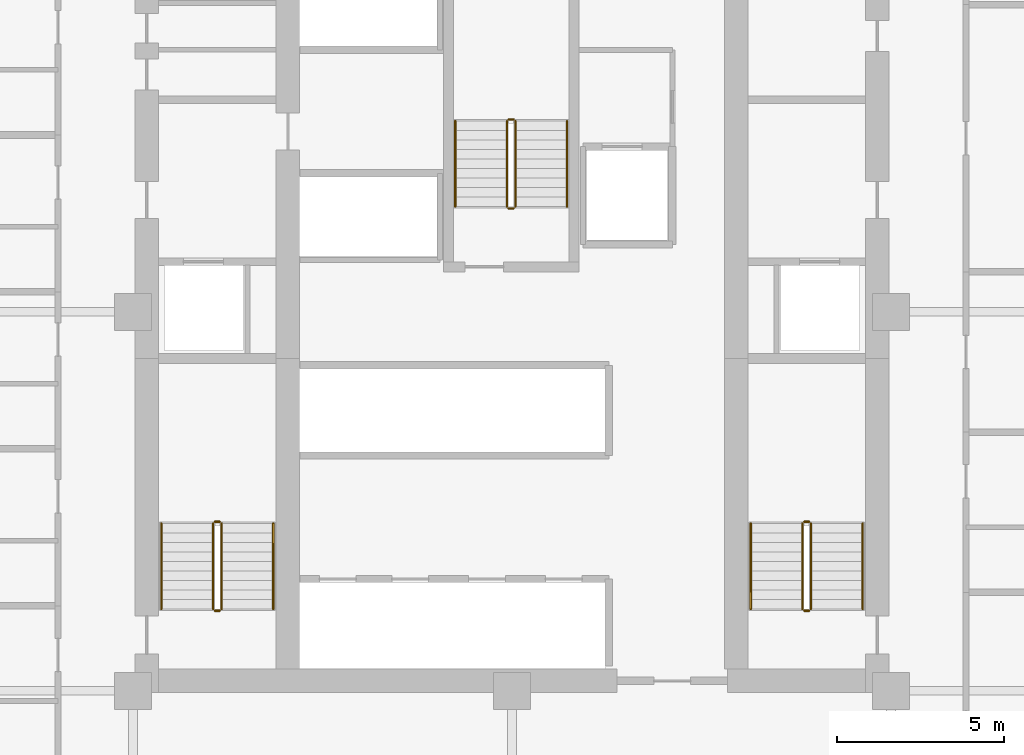
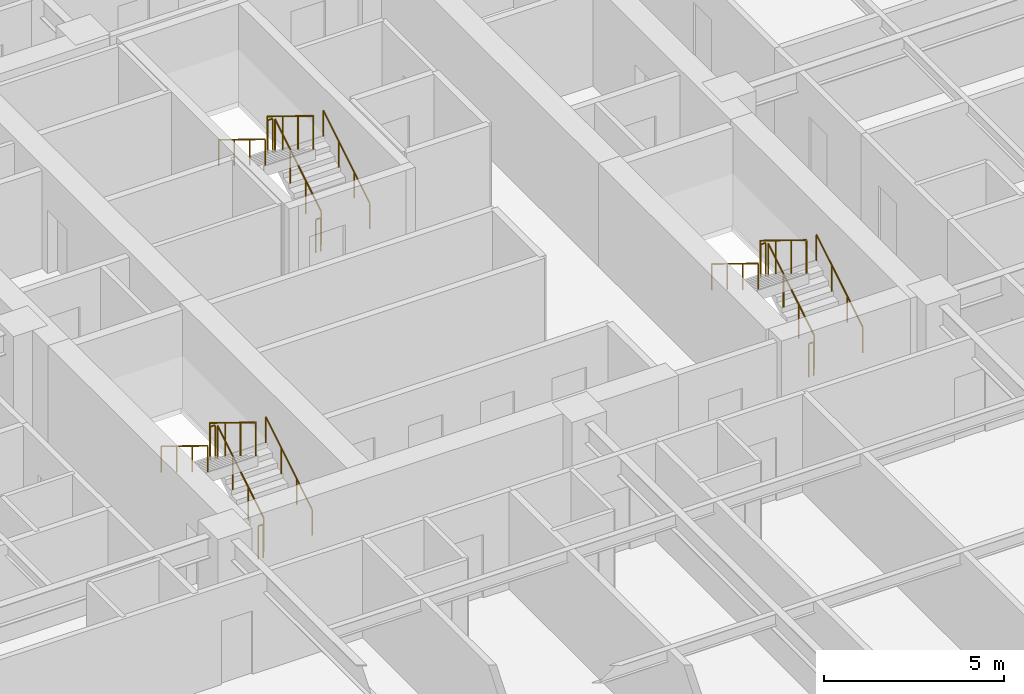
# One storey, part 8 of 8: 18 railings.
"""IFC4 building model written with IfcOpenShell, lengths in metres."""

from ifc_helpers import new_model, si_unit, direction, frame, origin, origin_2d, place, context, subcontext, project, spatial, circle, extrude, material, type_object, element, save


model = new_model("IFC4")

# Units and contexts
model_context = context("Model", 3, precision=1e-05, world=origin(), true_north=direction((0.0, 1.0)))
body_context = subcontext(model_context, "Body", "Model", "MODEL_VIEW")
ifc_project = project(units=[si_unit("LENGTHUNIT", "METRE"), si_unit("AREAUNIT", "SQUARE_METRE"), si_unit("VOLUMEUNIT", "CUBIC_METRE"), si_unit("PLANEANGLEUNIT", "RADIAN"), si_unit("MASSUNIT", "GRAM", prefix="KILO")], contexts=[model_context])

# Site, building, storey
site_placement = place(None, origin())
site = spatial("IfcSite", under=ifc_project, at=site_placement, CompositionType="ELEMENT")
building_placement = place(site_placement, origin())
building = spatial("IfcBuilding", under=site, at=building_placement, Name="Nhamokura Convention Tower", CompositionType="ELEMENT")
storey_placement = place(building_placement, frame((0.0, 0.0, 45.85009765625)))
storey = spatial("IfcBuildingStorey", under=building, at=storey_placement, Name="L09", CompositionType="ELEMENT", Elevation=45.85009765625)

# Railings
ifc_material_1 = material(Name="Anodised bronze stainless steel", Category="steel")
railing_type_1 = type_object("IfcRailingType", Name="StairWallHandrail_900", PredefinedType="HANDRAIL", material=ifc_material_1)
railing_1_placement = place(storey_placement, frame((24.85009765625, 23.10009765625, 0.1748046875)))
element("IfcRailing", 1, at=railing_1_placement, inside=storey, type_object=railing_type_1, Name="L09 ST-01 stair handrail 1", PredefinedType="HANDRAIL", context=body_context, shape_type="SweptSolid", body=[
    extrude(circle(Radius=0.02392578125, at=origin_2d()), frame((0.0, 0.0, 0.8759765625), z_axis=(0.0, 0.85213695991, 0.523318833556), x_axis=(-1.0, 0.0, 0.0)), (0.0, 0.0, 1.0), 3.010009765625),
    extrude(circle(Radius=0.02099609375, at=origin_2d()), origin(), (0.0, 0.0, 1.0), 0.851806640625),
    extrude(circle(Radius=0.02099609375, at=origin_2d()), frame((0.0, 0.85498046875, 0.525146484375)), (0.0, 0.0, 1.0), 0.851806640625),
    extrude(circle(Radius=0.02099609375, at=origin_2d()), frame((0.0, 1.7099609375, 1.050048828125)), (0.0, 0.0, 1.0), 0.851806640625),
    extrude(circle(Radius=0.02099609375, at=origin_2d()), frame((0.0, 2.56494140625, 1.5751953125)), (0.0, 0.0, 1.0), 0.851806640625),
])
railing_2_placement = place(storey_placement, frame((21.5, 25.6650390625, 1.9248046875)))
element("IfcRailing", 2, at=railing_2_placement, inside=storey, type_object=railing_type_1, Name="L09 ST-01 stair handrail 2", PredefinedType="HANDRAIL", context=body_context, shape_type="SweptSolid", body=[
    extrude(circle(Radius=0.02392578125, at=origin_2d()), frame((0.0, 0.0, 0.8759765625), z_axis=(0.0, -0.85213695991, 0.523318833556), x_axis=(1.0, 0.0, 0.0)), (0.0, 0.0, 1.0), 3.010009765625),
    extrude(circle(Radius=0.02099609375, at=origin_2d()), origin(), (0.0, 0.0, 1.0), 0.851806640625),
    extrude(circle(Radius=0.02099609375, at=origin_2d()), frame((0.0, -0.85498046875, 0.525146484375)), (0.0, 0.0, 1.0), 0.851806640625),
    extrude(circle(Radius=0.02099609375, at=origin_2d()), frame((0.0, -1.7099609375, 1.050048828125)), (0.0, 0.0, 1.0), 0.851806640625),
    extrude(circle(Radius=0.02099609375, at=origin_2d()), frame((0.0, -2.56494140625, 1.5751953125)), (0.0, 0.0, 1.0), 0.851806640625),
])
railing_3_placement = place(storey_placement, frame((42.5, 23.10009765625, 0.1748046875)))
element("IfcRailing", 3, at=railing_3_placement, inside=storey, type_object=railing_type_1, Name="L09 ST-02 stair handrail 1", PredefinedType="HANDRAIL", context=body_context, shape_type="SweptSolid", body=[
    extrude(circle(Radius=0.02392578125, at=origin_2d()), frame((0.0, 0.0, 0.8759765625), z_axis=(0.0, 0.85213695991, 0.523318833556), x_axis=(-1.0, 0.0, 0.0)), (0.0, 0.0, 1.0), 3.010009765625),
    extrude(circle(Radius=0.02099609375, at=origin_2d()), origin(), (0.0, 0.0, 1.0), 0.851806640625),
    extrude(circle(Radius=0.02099609375, at=origin_2d()), frame((0.0, 0.85498046875, 0.525146484375)), (0.0, 0.0, 1.0), 0.851806640625),
    extrude(circle(Radius=0.02099609375, at=origin_2d()), frame((0.0, 1.7099609375, 1.050048828125)), (0.0, 0.0, 1.0), 0.851806640625),
    extrude(circle(Radius=0.02099609375, at=origin_2d()), frame((0.0, 2.56494140625, 1.5751953125)), (0.0, 0.0, 1.0), 0.851806640625),
])
railing_4_placement = place(storey_placement, frame((39.14990234375, 25.6650390625, 1.9248046875)))
element("IfcRailing", 4, at=railing_4_placement, inside=storey, type_object=railing_type_1, Name="L09 ST-02 stair handrail 2", PredefinedType="HANDRAIL", context=body_context, shape_type="SweptSolid", body=[
    extrude(circle(Radius=0.02392578125, at=origin_2d()), frame((0.0, 0.0, 0.8759765625), z_axis=(0.0, -0.85213695991, 0.523318833556), x_axis=(1.0, 0.0, 0.0)), (0.0, 0.0, 1.0), 3.010009765625),
    extrude(circle(Radius=0.02099609375, at=origin_2d()), origin(), (0.0, 0.0, 1.0), 0.851806640625),
    extrude(circle(Radius=0.02099609375, at=origin_2d()), frame((0.0, -0.85498046875, 0.525146484375)), (0.0, 0.0, 1.0), 0.851806640625),
    extrude(circle(Radius=0.02099609375, at=origin_2d()), frame((0.0, -1.7099609375, 1.050048828125)), (0.0, 0.0, 1.0), 0.851806640625),
    extrude(circle(Radius=0.02099609375, at=origin_2d()), frame((0.0, -2.56494140625, 1.5751953125)), (0.0, 0.0, 1.0), 0.851806640625),
])
railing_5_placement = place(storey_placement, frame((33.64990234375, 35.14990234375, 0.1748046875)))
element("IfcRailing", 5, at=railing_5_placement, inside=storey, type_object=railing_type_1, Name="L09 ST-03 stair handrail 1", PredefinedType="HANDRAIL", context=body_context, shape_type="SweptSolid", body=[
    extrude(circle(Radius=0.02392578125, at=origin_2d()), frame((0.0, 0.0, 0.8759765625), z_axis=(0.0, 0.852159170481, 0.523282665646), x_axis=(-1.0, 0.0, 0.0)), (0.0, 0.0, 1.0), 3.01025390625),
    extrude(circle(Radius=0.02099609375, at=origin_2d()), origin(), (0.0, 0.0, 1.0), 0.851806640625),
    extrude(circle(Radius=0.02099609375, at=origin_2d()), frame((0.0, 0.85498046875, 0.525146484375)), (0.0, 0.0, 1.0), 0.851806640625),
    extrude(circle(Radius=0.02099609375, at=origin_2d()), frame((0.0, 1.710205078125, 1.050048828125)), (0.0, 0.0, 1.0), 0.851806640625),
    extrude(circle(Radius=0.02099609375, at=origin_2d()), frame((0.0, 2.565185546875, 1.5751953125)), (0.0, 0.0, 1.0), 0.851806640625),
])
railing_6_placement = place(storey_placement, frame((30.300048828125, 37.715087890625, 1.9248046875)))
element("IfcRailing", 6, at=railing_6_placement, inside=storey, type_object=railing_type_1, Name="L09 ST-03 stair handrail 2", PredefinedType="HANDRAIL", context=body_context, shape_type="SweptSolid", body=[
    extrude(circle(Radius=0.02392578125, at=origin_2d()), frame((0.0, 0.0, 0.8759765625), z_axis=(0.0, -0.852159170481, 0.523282665646), x_axis=(1.0, 0.0, 0.0)), (0.0, 0.0, 1.0), 3.01025390625),
    extrude(circle(Radius=0.02099609375, at=origin_2d()), origin(), (0.0, 0.0, 1.0), 0.851806640625),
    extrude(circle(Radius=0.02099609375, at=origin_2d()), frame((0.0, -0.85498046875, 0.525146484375)), (0.0, 0.0, 1.0), 0.851806640625),
    extrude(circle(Radius=0.02099609375, at=origin_2d()), frame((0.0, -1.710205078125, 1.050048828125)), (0.0, 0.0, 1.0), 0.851806640625),
    extrude(circle(Radius=0.02099609375, at=origin_2d()), frame((0.0, -2.565185546875, 1.5751953125)), (0.0, 0.0, 1.0), 0.851806640625),
])
ifc_material_2 = material(Name="Painted tubular steel", Category="steel")
railing_type_2 = type_object("IfcRailingType", Name="StairWellGuardrail_1150", PredefinedType="GUARDRAIL", material=ifc_material_2)
railing_7_placement = place(storey_placement, frame((23.300048828125, 23.10009765625, 0.1748046875)))
element("IfcRailing", 7, at=railing_7_placement, inside=storey, type_object=railing_type_2, Name="L09 ST-01 stair guard 1", PredefinedType="GUARDRAIL", context=body_context, shape_type="SweptSolid", body=[
    extrude(circle(Radius=0.02392578125, at=origin_2d()), frame((0.0, 0.0, 1.1259765625), z_axis=(0.0, 0.85213695991, 0.523318833556), x_axis=(-1.0, 0.0, 0.0)), (0.0, 0.0, 1.0), 3.010009765625),
    extrude(circle(Radius=0.02099609375, at=origin_2d()), origin(), (0.0, 0.0, 1.0), 1.101806640625),
    extrude(circle(Radius=0.02099609375, at=origin_2d()), frame((0.0, 0.85498046875, 0.525146484375)), (0.0, 0.0, 1.0), 1.101806640625),
    extrude(circle(Radius=0.02099609375, at=origin_2d()), frame((0.0, 1.7099609375, 1.050048828125)), (0.0, 0.0, 1.0), 1.101806640625),
    extrude(circle(Radius=0.02099609375, at=origin_2d()), frame((0.0, 2.56494140625, 1.5751953125)), (0.0, 0.0, 1.0), 1.101806640625),
])
railing_8_placement = place(storey_placement, frame((23.25, 25.715087890625, 1.75)))
element("IfcRailing", 8, at=railing_8_placement, inside=storey, type_object=railing_type_2, Name="L09 ST-01 stair guard 2", PredefinedType="GUARDRAIL", context=body_context, shape_type="SweptSolid", body=[
    extrude(circle(Radius=0.02392578125, at=origin_2d()), frame((0.0, 0.0, 1.1259765625), z_axis=(-1.0, 0.0, 0.0), x_axis=(0.0, -1.0, 0.0)), (0.0, 0.0, 1.0), 0.14990234375),
    extrude(circle(Radius=0.02099609375, at=origin_2d()), origin(), (0.0, 0.0, 1.0), 1.101806640625),
    extrude(circle(Radius=0.02099609375, at=origin_2d()), frame((-0.14990234375, 0.0, 0.0)), (0.0, 0.0, 1.0), 1.101806640625),
])
railing_9_placement = place(storey_placement, frame((23.050048828125, 25.6650390625, 1.9248046875)))
element("IfcRailing", 9, at=railing_9_placement, inside=storey, type_object=railing_type_2, Name="L09 ST-01 stair guard 3", PredefinedType="GUARDRAIL", context=body_context, shape_type="SweptSolid", body=[
    extrude(circle(Radius=0.02392578125, at=origin_2d()), frame((0.0, 0.0, 1.1259765625), z_axis=(0.0, -0.85213695991, 0.523318833556), x_axis=(1.0, 0.0, 0.0)), (0.0, 0.0, 1.0), 3.010009765625),
    extrude(circle(Radius=0.02099609375, at=origin_2d()), origin(), (0.0, 0.0, 1.0), 1.101806640625),
    extrude(circle(Radius=0.02099609375, at=origin_2d()), frame((0.0, -0.85498046875, 0.525146484375)), (0.0, 0.0, 1.0), 1.101806640625),
    extrude(circle(Radius=0.02099609375, at=origin_2d()), frame((0.0, -1.7099609375, 1.050048828125)), (0.0, 0.0, 1.0), 1.101806640625),
    extrude(circle(Radius=0.02099609375, at=origin_2d()), frame((0.0, -2.56494140625, 1.5751953125)), (0.0, 0.0, 1.0), 1.101806640625),
])
railing_10_placement = place(storey_placement, frame((23.25, 23.050048828125, 0.0)))
element("IfcRailing", 10, at=railing_10_placement, inside=storey, type_object=railing_type_2, Name="L09 ST-01 stair guard 4", PredefinedType="GUARDRAIL", context=body_context, shape_type="SweptSolid", body=[
    extrude(circle(Radius=0.02392578125, at=origin_2d()), frame((0.0, 0.0, 1.1259765625), z_axis=(-1.0, 0.0, 0.0), x_axis=(0.0, -1.0, 0.0)), (0.0, 0.0, 1.0), 0.14990234375),
    extrude(circle(Radius=0.02099609375, at=origin_2d()), origin(), (0.0, 0.0, 1.0), 1.101806640625),
    extrude(circle(Radius=0.02099609375, at=origin_2d()), frame((-0.14990234375, 0.0, 0.0)), (0.0, 0.0, 1.0), 1.101806640625),
])
railing_11_placement = place(storey_placement, frame((40.949951171875, 23.10009765625, 0.1748046875)))
element("IfcRailing", 11, at=railing_11_placement, inside=storey, type_object=railing_type_2, Name="L09 ST-02 stair guard 1", PredefinedType="GUARDRAIL", context=body_context, shape_type="SweptSolid", body=[
    extrude(circle(Radius=0.02392578125, at=origin_2d()), frame((0.0, 0.0, 1.1259765625), z_axis=(0.0, 0.85213695991, 0.523318833556), x_axis=(-1.0, 0.0, 0.0)), (0.0, 0.0, 1.0), 3.010009765625),
    extrude(circle(Radius=0.02099609375, at=origin_2d()), origin(), (0.0, 0.0, 1.0), 1.101806640625),
    extrude(circle(Radius=0.02099609375, at=origin_2d()), frame((0.0, 0.85498046875, 0.525146484375)), (0.0, 0.0, 1.0), 1.101806640625),
    extrude(circle(Radius=0.02099609375, at=origin_2d()), frame((0.0, 1.7099609375, 1.050048828125)), (0.0, 0.0, 1.0), 1.101806640625),
    extrude(circle(Radius=0.02099609375, at=origin_2d()), frame((0.0, 2.56494140625, 1.5751953125)), (0.0, 0.0, 1.0), 1.101806640625),
])
railing_12_placement = place(storey_placement, frame((40.89990234375, 25.715087890625, 1.75)))
element("IfcRailing", 12, at=railing_12_placement, inside=storey, type_object=railing_type_2, Name="L09 ST-02 stair guard 2", PredefinedType="GUARDRAIL", context=body_context, shape_type="SweptSolid", body=[
    extrude(circle(Radius=0.02392578125, at=origin_2d()), frame((0.0, 0.0, 1.1259765625), z_axis=(-1.0, 0.0, 0.0), x_axis=(0.0, -1.0, 0.0)), (0.0, 0.0, 1.0), 0.14990234375),
    extrude(circle(Radius=0.02099609375, at=origin_2d()), origin(), (0.0, 0.0, 1.0), 1.101806640625),
    extrude(circle(Radius=0.02099609375, at=origin_2d()), frame((-0.14990234375, 0.0, 0.0)), (0.0, 0.0, 1.0), 1.101806640625),
])
railing_13_placement = place(storey_placement, frame((40.699951171875, 25.6650390625, 1.9248046875)))
element("IfcRailing", 13, at=railing_13_placement, inside=storey, type_object=railing_type_2, Name="L09 ST-02 stair guard 3", PredefinedType="GUARDRAIL", context=body_context, shape_type="SweptSolid", body=[
    extrude(circle(Radius=0.02392578125, at=origin_2d()), frame((0.0, 0.0, 1.1259765625), z_axis=(0.0, -0.85213695991, 0.523318833556), x_axis=(1.0, 0.0, 0.0)), (0.0, 0.0, 1.0), 3.010009765625),
    extrude(circle(Radius=0.02099609375, at=origin_2d()), origin(), (0.0, 0.0, 1.0), 1.101806640625),
    extrude(circle(Radius=0.02099609375, at=origin_2d()), frame((0.0, -0.85498046875, 0.525146484375)), (0.0, 0.0, 1.0), 1.101806640625),
    extrude(circle(Radius=0.02099609375, at=origin_2d()), frame((0.0, -1.7099609375, 1.050048828125)), (0.0, 0.0, 1.0), 1.101806640625),
    extrude(circle(Radius=0.02099609375, at=origin_2d()), frame((0.0, -2.56494140625, 1.5751953125)), (0.0, 0.0, 1.0), 1.101806640625),
])
railing_14_placement = place(storey_placement, frame((40.89990234375, 23.050048828125, 0.0)))
element("IfcRailing", 14, at=railing_14_placement, inside=storey, type_object=railing_type_2, Name="L09 ST-02 stair guard 4", PredefinedType="GUARDRAIL", context=body_context, shape_type="SweptSolid", body=[
    extrude(circle(Radius=0.02392578125, at=origin_2d()), frame((0.0, 0.0, 1.1259765625), z_axis=(-1.0, 0.0, 0.0), x_axis=(0.0, -1.0, 0.0)), (0.0, 0.0, 1.0), 0.14990234375),
    extrude(circle(Radius=0.02099609375, at=origin_2d()), origin(), (0.0, 0.0, 1.0), 1.101806640625),
    extrude(circle(Radius=0.02099609375, at=origin_2d()), frame((-0.14990234375, 0.0, 0.0)), (0.0, 0.0, 1.0), 1.101806640625),
])
railing_15_placement = place(storey_placement, frame((32.10009765625, 35.14990234375, 0.1748046875)))
element("IfcRailing", 15, at=railing_15_placement, inside=storey, type_object=railing_type_2, Name="L09 ST-03 stair guard 1", PredefinedType="GUARDRAIL", context=body_context, shape_type="SweptSolid", body=[
    extrude(circle(Radius=0.02392578125, at=origin_2d()), frame((0.0, 0.0, 1.1259765625), z_axis=(0.0, 0.852159170481, 0.523282665646), x_axis=(-1.0, 0.0, 0.0)), (0.0, 0.0, 1.0), 3.01025390625),
    extrude(circle(Radius=0.02099609375, at=origin_2d()), origin(), (0.0, 0.0, 1.0), 1.101806640625),
    extrude(circle(Radius=0.02099609375, at=origin_2d()), frame((0.0, 0.85498046875, 0.525146484375)), (0.0, 0.0, 1.0), 1.101806640625),
    extrude(circle(Radius=0.02099609375, at=origin_2d()), frame((0.0, 1.710205078125, 1.050048828125)), (0.0, 0.0, 1.0), 1.101806640625),
    extrude(circle(Radius=0.02099609375, at=origin_2d()), frame((0.0, 2.565185546875, 1.5751953125)), (0.0, 0.0, 1.0), 1.101806640625),
])
railing_16_placement = place(storey_placement, frame((32.050048828125, 37.764892578125, 1.75)))
element("IfcRailing", 16, at=railing_16_placement, inside=storey, type_object=railing_type_2, Name="L09 ST-03 stair guard 2", PredefinedType="GUARDRAIL", context=body_context, shape_type="SweptSolid", body=[
    extrude(circle(Radius=0.02392578125, at=origin_2d()), frame((0.0, 0.0, 1.1259765625), z_axis=(-1.0, 0.0, 0.0), x_axis=(0.0, -1.0, 0.0)), (0.0, 0.0, 1.0), 0.150146484375),
    extrude(circle(Radius=0.02099609375, at=origin_2d()), origin(), (0.0, 0.0, 1.0), 1.101806640625),
    extrude(circle(Radius=0.02099609375, at=origin_2d()), frame((-0.150146484375, 0.0, 0.0)), (0.0, 0.0, 1.0), 1.101806640625),
])
railing_17_placement = place(storey_placement, frame((31.85009765625, 37.715087890625, 1.9248046875)))
element("IfcRailing", 17, at=railing_17_placement, inside=storey, type_object=railing_type_2, Name="L09 ST-03 stair guard 3", PredefinedType="GUARDRAIL", context=body_context, shape_type="SweptSolid", body=[
    extrude(circle(Radius=0.02392578125, at=origin_2d()), frame((0.0, 0.0, 1.1259765625), z_axis=(0.0, -0.852159170481, 0.523282665646), x_axis=(1.0, 0.0, 0.0)), (0.0, 0.0, 1.0), 3.01025390625),
    extrude(circle(Radius=0.02099609375, at=origin_2d()), origin(), (0.0, 0.0, 1.0), 1.101806640625),
    extrude(circle(Radius=0.02099609375, at=origin_2d()), frame((0.0, -0.85498046875, 0.525146484375)), (0.0, 0.0, 1.0), 1.101806640625),
    extrude(circle(Radius=0.02099609375, at=origin_2d()), frame((0.0, -1.710205078125, 1.050048828125)), (0.0, 0.0, 1.0), 1.101806640625),
    extrude(circle(Radius=0.02099609375, at=origin_2d()), frame((0.0, -2.565185546875, 1.5751953125)), (0.0, 0.0, 1.0), 1.101806640625),
])
railing_18_placement = place(storey_placement, frame((32.050048828125, 35.10009765625, 0.0)))
element("IfcRailing", 18, at=railing_18_placement, inside=storey, type_object=railing_type_2, Name="L09 ST-03 stair guard 4", PredefinedType="GUARDRAIL", context=body_context, shape_type="SweptSolid", body=[
    extrude(circle(Radius=0.02392578125, at=origin_2d()), frame((0.0, 0.0, 1.1259765625), z_axis=(-1.0, 0.0, 0.0), x_axis=(0.0, -1.0, 0.0)), (0.0, 0.0, 1.0), 0.150146484375),
    extrude(circle(Radius=0.02099609375, at=origin_2d()), origin(), (0.0, 0.0, 1.0), 1.101806640625),
    extrude(circle(Radius=0.02099609375, at=origin_2d()), frame((-0.150146484375, 0.0, 0.0)), (0.0, 0.0, 1.0), 1.101806640625),
])

save(model, "model.ifc")
